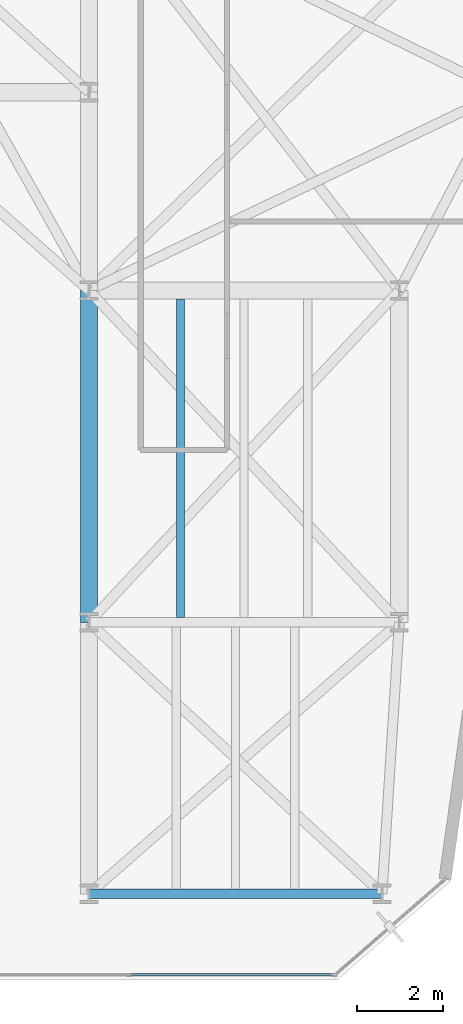
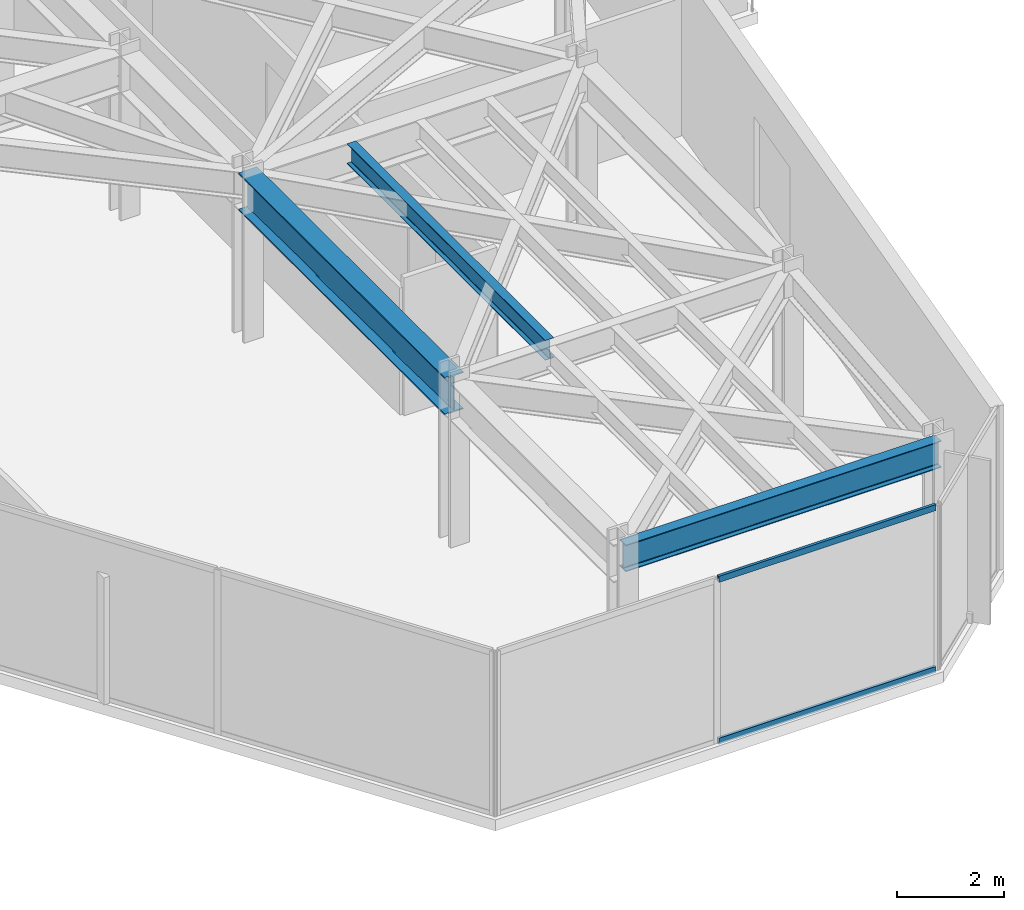
# One storey, part 18 of 26: 3 beams, 2 members, 1 element without a shape of its own.
"""IFC4 building model written with IfcOpenShell, lengths in metres."""

from ifc_helpers import new_model, si_unit, direction, frame, origin, origin_2d, place, context, subcontext, project, spatial, hollow_rectangle, i_section, extrude, material, layer, layer_set, material_profile, profile_set, type_object, element, aggregate, save


model = new_model("IFC4")

# Units and contexts
model_context = context("Model", 3, precision=1e-05, world=origin(), true_north=direction((0.0, 1.0)))
body_context = subcontext(model_context, "Body", "Model", "MODEL_VIEW")
ifc_project = project(units=[si_unit("LENGTHUNIT", "METRE"), si_unit("AREAUNIT", "SQUARE_METRE"), si_unit("VOLUMEUNIT", "CUBIC_METRE"), si_unit("PLANEANGLEUNIT", "RADIAN"), si_unit("MASSUNIT", "GRAM", prefix="KILO")], contexts=[model_context])

# Site, building, storey
site_placement = place(None, origin())
site = spatial("IfcSite", under=ifc_project, at=site_placement, CompositionType="ELEMENT")
building_placement = place(site_placement, origin())
building = spatial("IfcBuilding", under=site, at=building_placement, Name="Kravanh Interchange Tower", CompositionType="ELEMENT")
storey_placement = place(building_placement, frame((0.0, 0.0, 132.0)))
storey = spatial("IfcBuildingStorey", under=building, at=storey_placement, Name="L31", CompositionType="ELEMENT", Elevation=132.0)

# Curtain wall, members
ifc_material_1 = material(Name="Anodised Bronze Aluminium", Category="aluminium")
ifc_layer = layer(ifc_material_1, 0.179931640625)
ifc_layer_set = layer_set([ifc_layer], Name="Unitised Curtain Wall System CW-Z2 Mid Office")
curtain_wall_type = type_object("IfcCurtainWallType", Name="Unitised Curtain Wall System CW-Z2 Mid Office", PredefinedType="NOTDEFINED", material=ifc_layer_set)
curtain_wall_placement = place(storey_placement, origin())
curtain_wall = element("IfcCurtainWall", 1, at=curtain_wall_placement, inside=storey, type_object=curtain_wall_type, Name="L31 Unitised Curtain Wall CW-L31-03", PredefinedType="NOTDEFINED")
ifc_material_2 = material(Name="Anodised Bronze Aluminium", Category="aluminium")
ifc_material_profile_1 = material_profile(ifc_material_2, hollow_rectangle(XDim=0.06005859375, YDim=0.139892578125, WallThickness=0.00390625, at=origin_2d()), Name="ALU60X140X4")
ifc_profile_set_1 = profile_set([ifc_material_profile_1], Name="Anodised Bronze Aluminium")
member_type = type_object("IfcMemberType", Name="Curtain Wall Transom ALU60X140X4 Bronze", PredefinedType="USERDEFINED", material=ifc_profile_set_1)
member_1_placement = place(storey_placement, frame((61.650146484375, 6.320068359375, 0.030029296875), z_axis=(-1.0, 0.0, 0.0), x_axis=(0.0, -1.0, 0.0)))
member_1 = element("IfcMember", 2, at=member_1_placement, type_object=member_type, Name="CW-Z2 transom 1.1", ObjectType="TRANSOM", PredefinedType="USERDEFINED", context=body_context, shape_type="SweptSolid", body=[
    extrude(hollow_rectangle(XDim=0.06005859375, YDim=0.139892578125, WallThickness=0.00390625, at=origin_2d()), origin(), (0.0, 0.0, 1.0), 4.68212890625),
])
member_2_placement = place(storey_placement, frame((61.650146484375, 6.320068359375, 3.719970703125), z_axis=(-1.0, 0.0, 0.0), x_axis=(0.0, -1.0, 0.0)))
member_2 = element("IfcMember", 3, at=member_2_placement, type_object=member_type, Name="CW-Z2 transom 1.2", ObjectType="TRANSOM", PredefinedType="USERDEFINED", context=body_context, shape_type="SweptSolid", body=[
    extrude(hollow_rectangle(XDim=0.06005859375, YDim=0.139892578125, WallThickness=0.00390625, at=origin_2d()), origin(), (0.0, 0.0, 1.0), 4.68212890625),
])
aggregate(curtain_wall, [member_1, member_2])

# Beams
ifc_material_3 = material(Name="Structural Steel S355", Category="steel")
ifc_material_profile_2 = material_profile(ifc_material_3, i_section(OverallWidth=0.39990234375, OverallDepth=0.85595703125, WebThickness=0.018310546875, FlangeThickness=0.029296875, FilletRadius=0.02490234375, at=origin_2d()), Name="W33X201")
ifc_profile_set_2 = profile_set([ifc_material_profile_2], Name="Structural Steel S355")
beam_type_1 = type_object("IfcBeamType", Name="Floor Beam W33X201 Structural Steel S355", PredefinedType="BEAM", material=ifc_profile_set_2)
beam_1_placement = place(storey_placement, frame((56.0, 14.5, 3.322021484375), z_axis=(0.0, 1.0, 0.0), x_axis=(-1.0, 0.0, 0.0)))
element("IfcBeam", 4, at=beam_1_placement, inside=storey, type_object=beam_type_1, Name="L31 Primary Floor Girder 104", PredefinedType="BEAM", context=body_context, shape_type="SweptSolid", body=[
    extrude(i_section(OverallWidth=0.39990234375, OverallDepth=0.85595703125, WebThickness=0.018310546875, FlangeThickness=0.029296875, FilletRadius=0.02490234375, at=origin_2d()), origin(), (0.0, 0.0, 1.0), 7.699951171875),
])
ifc_material_4 = material(Name="Structural Steel S355", Category="steel")
ifc_material_profile_3 = material_profile(ifc_material_4, i_section(OverallWidth=0.18994140625, OverallDepth=0.45703125, WebThickness=0.009033203125, FlangeThickness=0.014404296875, FilletRadius=0.01806640625, at=origin_2d()), Name="W18X50")
ifc_profile_set_3 = profile_set([ifc_material_profile_3], Name="Structural Steel S355")
beam_type_2 = type_object("IfcBeamType", Name="Floor Joist W18X50 Structural Steel S355", PredefinedType="JOIST", material=ifc_profile_set_3)
beam_2_placement = place(storey_placement, frame((58.125, 14.60888671875, 3.521484375), z_axis=(0.0, 1.0, 0.0), x_axis=(-1.0, 0.0, 0.0)))
element("IfcBeam", 5, at=beam_2_placement, inside=storey, type_object=beam_type_2, Name="L31 Secondary Floor Joist 10", PredefinedType="JOIST", context=body_context, shape_type="SweptSolid", body=[
    extrude(i_section(OverallWidth=0.18994140625, OverallDepth=0.45703125, WebThickness=0.009033203125, FlangeThickness=0.014404296875, FilletRadius=0.01806640625, at=origin_2d()), origin(), (0.0, 0.0, 1.0), 7.39599609375),
])
ifc_material_5 = material(Name="Structural Steel S355", Category="steel")
ifc_material_profile_4 = material_profile(ifc_material_5, i_section(OverallWidth=0.22802734375, OverallDepth=0.60791015625, WebThickness=0.01123046875, FlangeThickness=0.017333984375, FilletRadius=0.02197265625, at=origin_2d()), Name="W24X76")
ifc_profile_set_4 = profile_set([ifc_material_profile_4], Name="Structural Steel S355")
beam_type_3 = type_object("IfcBeamType", Name="Floor Spandrel W24X76 Structural Steel S355", PredefinedType="SPANDREL", material=ifc_profile_set_4)
beam_3_placement = place(storey_placement, frame((56.0, 8.199951171875, 3.446044921875), z_axis=(1.0, 0.0, 0.0), x_axis=(0.0, 1.0, 0.0)))
element("IfcBeam", 6, at=beam_3_placement, inside=storey, type_object=beam_type_3, Name="L31 Perimeter Spandrel 96", PredefinedType="SPANDREL", context=body_context, shape_type="SweptSolid", body=[
    extrude(i_section(OverallWidth=0.22802734375, OverallDepth=0.60791015625, WebThickness=0.01123046875, FlangeThickness=0.017333984375, FilletRadius=0.02197265625, at=origin_2d()), origin(), (0.0, 0.0, 1.0), 6.800048828125),
])

save(model, "model.ifc")
